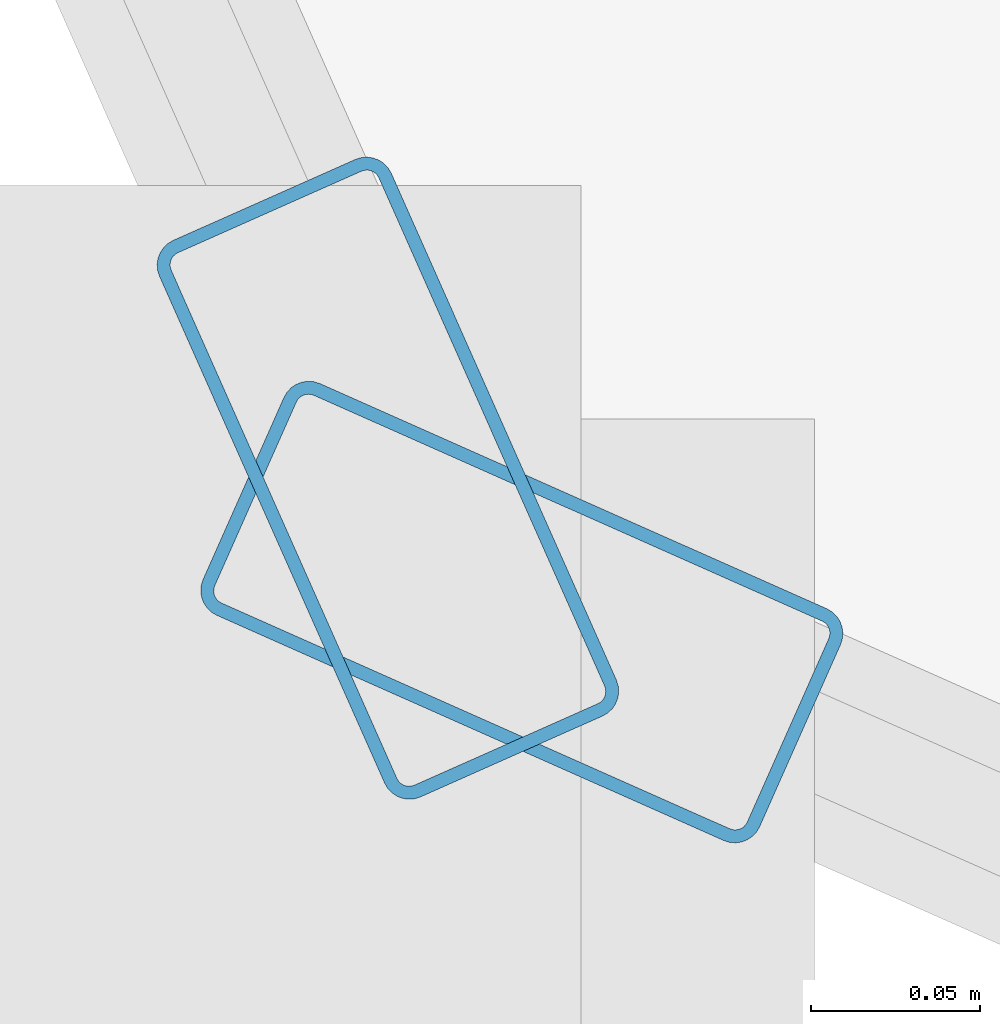
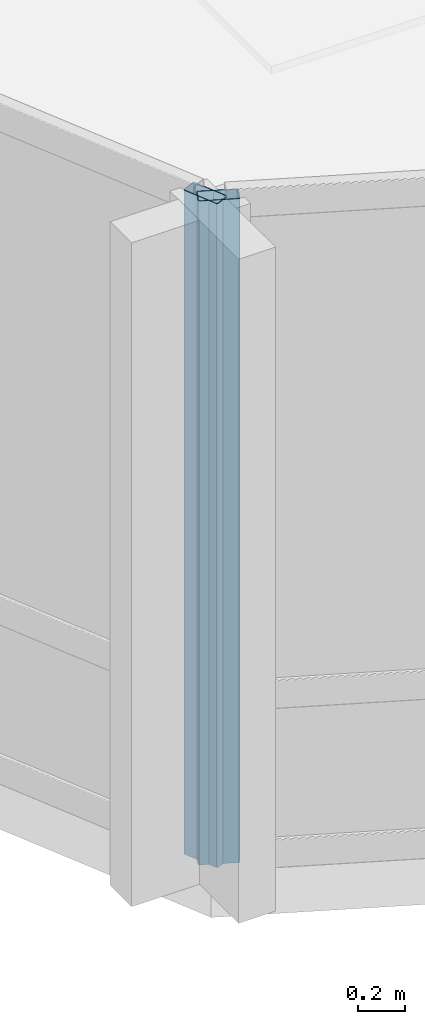
# One storey, part 2 of 29: 2 members, 2 elements without a shape of their own.
"""IFC4 building model written with IfcOpenShell, lengths in metres."""

from ifc_helpers import new_model, si_unit, direction, frame, origin, origin_2d, place, context, subcontext, project, spatial, hollow_rectangle, extrude, material, layer, layer_set, material_profile, profile_set, type_object, element, aggregate, save


model = new_model("IFC4")

# Units and contexts
model_context = context("Model", 3, precision=1e-05, world=origin(), true_north=direction((0.0, 1.0)))
body_context = subcontext(model_context, "Body", "Model", "MODEL_VIEW")
ifc_project = project(units=[si_unit("LENGTHUNIT", "METRE"), si_unit("AREAUNIT", "SQUARE_METRE"), si_unit("VOLUMEUNIT", "CUBIC_METRE"), si_unit("PLANEANGLEUNIT", "RADIAN"), si_unit("MASSUNIT", "GRAM", prefix="KILO")], contexts=[model_context])

# Site, building, storey
site_placement = place(None, origin())
site = spatial("IfcSite", under=ifc_project, at=site_placement, CompositionType="ELEMENT")
building_placement = place(site_placement, origin())
building = spatial("IfcBuilding", under=site, at=building_placement, Name="Solvaryn Broadcast Tower", CompositionType="ELEMENT")
storey_placement = place(building_placement, frame((0.0, 0.0, 121.10009765625)))
storey = spatial("IfcBuildingStorey", under=building, at=storey_placement, Name="L29", CompositionType="ELEMENT", Elevation=121.10009765625)

# Curtain wall, member
ifc_material_1 = material(Name="Aluminium and Terracotta Unitised Curtain Wall", Category="masonry")
ifc_layer = layer(ifc_material_1, 0.199951171875)
ifc_layer_set = layer_set([ifc_layer], Name="CW-SYS2-LOWMID")
curtain_wall_type = type_object("IfcCurtainWallType", Name="CW-SYS2-LOWMID", PredefinedType="NOTDEFINED", material=ifc_layer_set)
curtain_wall_1_placement = place(storey_placement, origin())
curtain_wall_1 = element("IfcCurtainWall", 1, at=curtain_wall_1_placement, inside=storey, type_object=curtain_wall_type, Name="L29 Curtain Wall DR2", PredefinedType="NOTDEFINED")
ifc_material_2 = material(Name="Anodised Aluminium 6063-T6", Category="aluminium")
ifc_material_profile = material_profile(ifc_material_2, hollow_rectangle(XDim=0.074951171875, YDim=0.179931640625, WallThickness=0.00390625, InnerFilletRadius=0.00390625, OuterFilletRadius=0.008056640625, at=origin_2d()))
ifc_profile_set = profile_set([ifc_material_profile], Name="Anodised Aluminium 6063-T6")
member_type = type_object("IfcMemberType", Name="CW-MUL-180", PredefinedType="MULLION", material=ifc_profile_set)
member_1_placement = place(storey_placement, frame((8.895751953125, 8.935302734375, 0.0), z_axis=(0.0, 0.0, 1.0), x_axis=(0.913909311008, 0.405918429309, 0.0)))
member_1 = element("IfcMember", 2, at=member_1_placement, type_object=member_type, Name="CWS2 mullion 2", PredefinedType="MULLION", context=body_context, shape_type="SweptSolid", body=[
    extrude(hollow_rectangle(XDim=0.074951171875, YDim=0.179931640625, WallThickness=0.00390625, InnerFilletRadius=0.00390625, OuterFilletRadius=0.008056640625, at=origin_2d()), origin(), (0.0, 0.0, 1.0), 3.419921875),
])
aggregate(curtain_wall_1, [member_1])

curtain_wall_2_placement = place(storey_placement, origin())
curtain_wall_2 = element("IfcCurtainWall", 3, at=curtain_wall_2_placement, inside=storey, type_object=curtain_wall_type, Name="L29 Curtain Wall DR3", PredefinedType="NOTDEFINED")
member_2_placement = place(storey_placement, frame((8.935302734375, 8.895751953125, 0.0), z_axis=(0.0, 0.0, 1.0), x_axis=(0.405918429309, 0.913909311008, 0.0)))
member_2 = element("IfcMember", 4, at=member_2_placement, type_object=member_type, Name="CWS2 mullion 1", PredefinedType="MULLION", context=body_context, shape_type="SweptSolid", body=[
    extrude(hollow_rectangle(XDim=0.074951171875, YDim=0.179931640625, WallThickness=0.00390625, InnerFilletRadius=0.00390625, OuterFilletRadius=0.008056640625, at=origin_2d()), origin(), (0.0, 0.0, 1.0), 3.419921875),
])
aggregate(curtain_wall_2, [member_2])

save(model, "model.ifc")
